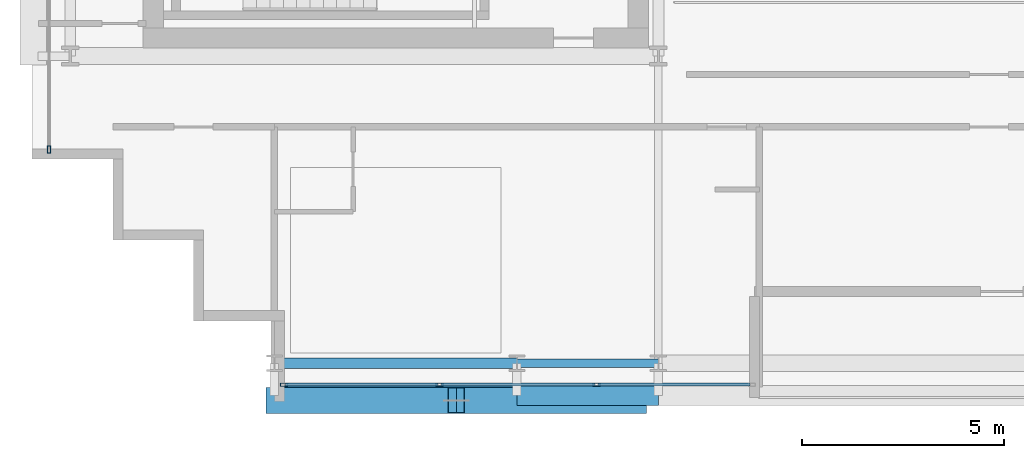
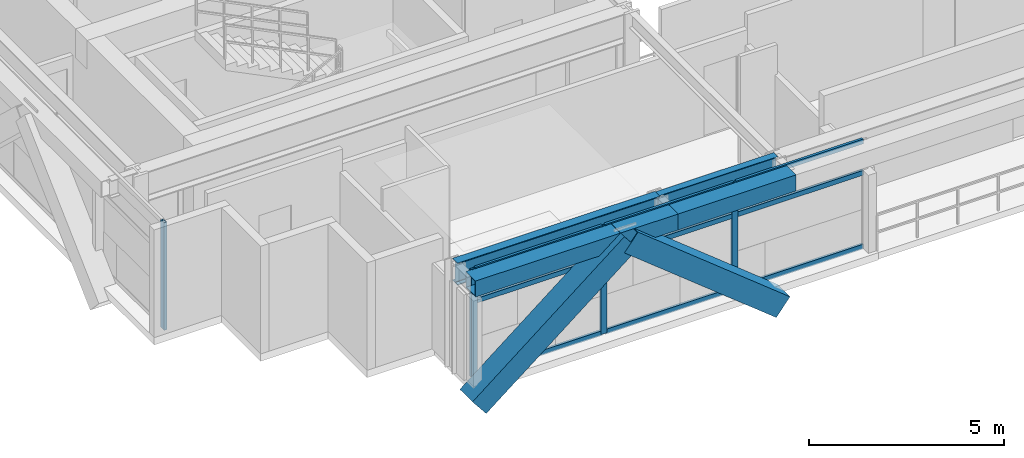
# One storey, part 2 of 30: 15 members, 4 beams, 2 elements without a shape of their own.
"""IFC4 building model written with IfcOpenShell, lengths in metres."""

from ifc_helpers import new_model, si_unit, direction, frame, origin, origin_2d, place, context, subcontext, project, spatial, hollow_rectangle, i_section, extrude, source, transform, mapped, material, layer, layer_set, material_profile, profile_set, type_object, element, aggregate, save


model = new_model("IFC4")

# Units and contexts
model_context = context("Model", 3, precision=1e-05, world=origin(), true_north=direction((0.0, 1.0)))
body_context = subcontext(model_context, "Body", "Model", "MODEL_VIEW")
ifc_project = project(units=[si_unit("LENGTHUNIT", "METRE"), si_unit("AREAUNIT", "SQUARE_METRE"), si_unit("VOLUMEUNIT", "CUBIC_METRE"), si_unit("PLANEANGLEUNIT", "RADIAN"), si_unit("MASSUNIT", "GRAM", prefix="KILO")], contexts=[model_context])

# Site, building, storey
site_placement = place(None, origin())
site = spatial("IfcSite", under=ifc_project, at=site_placement, CompositionType="ELEMENT")
building_placement = place(site_placement, origin())
building = spatial("IfcBuilding", under=site, at=building_placement, Name="Ocotamira Hotel", CompositionType="ELEMENT")
storey_placement = place(building_placement, frame((0.0, 0.0, 195.60009765625)))
storey = spatial("IfcBuildingStorey", under=building, at=storey_placement, Name="L49", CompositionType="ELEMENT", Elevation=195.60009765625)

# Beams
ifc_material_1 = material(Name="Steel ASTM A992 Grade 50", Category="steel")
ifc_material_profile_1 = material_profile(ifc_material_1, i_section(OverallWidth=0.256103515625, OverallDepth=0.693115234375, WebThickness=0.014404296875, FlangeThickness=0.023681640625, FilletRadius=0.01611328125, at=origin_2d()), Name="W27X114")
ifc_profile_set_1 = profile_set([ifc_material_profile_1], Name="Steel ASTM A992 Grade 50")
beam_type_1 = type_object("IfcBeamType", Name="BM-PRIM-W27X114", PredefinedType="BEAM", material=ifc_profile_set_1)
shared_shape_1 = source(origin(), body_context, "Body", "SweptSolid", [
    extrude(i_section(OverallWidth=0.256103515625, OverallDepth=0.693115234375, WebThickness=0.014404296875, FlangeThickness=0.023681640625, FilletRadius=0.01611328125, at=origin_2d()), origin(), (0.0, 0.0, 1.0), 6.0),
])
beam_1_placement = place(storey_placement, frame((14.0, 6.949951171875, 3.0234375), z_axis=(1.0, 0.0, 0.0), x_axis=(0.0, 1.0, 0.0)))
element("IfcBeam", 1, at=beam_1_placement, inside=storey, type_object=beam_type_1, Name="L49 Girder Y6.95 X14-20", PredefinedType="BEAM", context=body_context, shape_type="MappedRepresentation", body=[
    mapped(shared_shape_1, transform((0.0, 0.0, 0.0), scale=1.0)),
])
ifc_material_profile_2 = material_profile(ifc_material_1, i_section(OverallWidth=0.2099609375, OverallDepth=0.537109375, WebThickness=0.010986328125, FlangeThickness=0.017333984375, FilletRadius=0.012939453125, at=origin_2d()), Name="W21X68")
ifc_profile_set_2 = profile_set([ifc_material_profile_2], Name="Steel ASTM A992 Grade 50")
beam_type_2 = type_object("IfcBeamType", Name="BM-SEC-W21X68", PredefinedType="JOIST", material=ifc_profile_set_2)
shared_shape_2 = source(origin(), body_context, "Body", "SweptSolid", [
    extrude(i_section(OverallWidth=0.2099609375, OverallDepth=0.537109375, WebThickness=0.010986328125, FlangeThickness=0.017333984375, FilletRadius=0.012939453125, at=origin_2d()), origin(), (0.0, 0.0, 1.0), 3.5),
])
beam_2_placement = place(storey_placement, frame((20.0, 6.949951171875, 3.101318359375), z_axis=(1.0, 0.0, 0.0), x_axis=(0.0, 1.0, 0.0)))
element("IfcBeam", 2, at=beam_2_placement, inside=storey, type_object=beam_type_2, Name="L49 Girder Y6.95 X20-23.5", PredefinedType="JOIST", context=body_context, shape_type="MappedRepresentation", body=[
    mapped(shared_shape_2, transform((0.0, 0.0, 0.0), scale=1.0)),
])
ifc_material_2 = material(Name="Steel ASTM A500 Grade C", Category="steel")
ifc_material_profile_3 = material_profile(ifc_material_2, hollow_rectangle(XDim=0.5, YDim=0.5, WallThickness=0.02001953125, at=origin_2d()), Name="HSS500X500X20")
ifc_profile_set_3 = profile_set([ifc_material_profile_3], Name="Steel ASTM A500 Grade C")
beam_type_3 = type_object("IfcBeamType", Name="BM-SPAN-HSS500", PredefinedType="USERDEFINED", material=ifc_profile_set_3)
shared_shape_3 = source(origin(), body_context, "Body", "SweptSolid", [
    extrude(hollow_rectangle(XDim=0.5, YDim=0.5, WallThickness=0.02001953125, at=origin_2d()), origin(), (0.0, 0.0, 1.0), 6.0),
])
beam_3_placement = place(storey_placement, frame((14.0, 6.14990234375, 3.119873046875), z_axis=(1.0, 0.0, 0.0), x_axis=(0.0, 1.0, 0.0)))
element("IfcBeam", 3, at=beam_3_placement, inside=storey, type_object=beam_type_3, Name="L49 Edge Spandrel S X14-20", ObjectType="SPANDREL", PredefinedType="USERDEFINED", context=body_context, shape_type="MappedRepresentation", body=[
    mapped(shared_shape_3, transform((0.0, 0.0, 0.0), scale=1.0)),
])
shared_shape_4 = source(origin(), body_context, "Body", "SweptSolid", [
    extrude(hollow_rectangle(XDim=0.5, YDim=0.5, WallThickness=0.02001953125, at=origin_2d()), origin(), (0.0, 0.0, 1.0), 3.5),
])
beam_4_placement = place(storey_placement, frame((20.0, 6.14990234375, 3.119873046875), z_axis=(1.0, 0.0, 0.0), x_axis=(0.0, 1.0, 0.0)))
element("IfcBeam", 4, at=beam_4_placement, inside=storey, type_object=beam_type_3, Name="L49 Edge Spandrel S X20-23.5", ObjectType="SPANDREL", PredefinedType="USERDEFINED", context=body_context, shape_type="MappedRepresentation", body=[
    mapped(shared_shape_4, transform((0.0, 0.0, 0.0), scale=1.0)),
])

# Members
ifc_material_3 = material(Name="Pale-metal coated steel ASTM A913 Grade 65", Category="steel")
ifc_material_profile_4 = material_profile(ifc_material_3, hollow_rectangle(XDim=0.64990234375, YDim=0.64990234375, WallThickness=0.02197265625, at=origin_2d()), Name="BOX650X650X22")
ifc_profile_set_4 = profile_set([ifc_material_profile_4], Name="Pale-metal coated steel ASTM A913 Grade 65")
member_type_1 = type_object("IfcMemberType", Name="MEM-EXO-BOX650", PredefinedType="BRACE", material=ifc_profile_set_4)
shared_shape_5 = source(origin(), body_context, "Body", "SweptSolid", [
    extrude(hollow_rectangle(XDim=0.64990234375, YDim=0.64990234375, WallThickness=0.02197265625, at=origin_2d()), origin(), (0.0, 0.0, 1.0), 5.7626953125),
])
for number, where, z_axis, x_axis, name in (
    (5, (14.0, 6.030029296875, -0.47998046875), (0.780881208953, 0.0, 0.624679547852), (0.0, 1.0, 0.0), "L49 Exoskeleton Diagrid S0.1"),
    (6, (23.0, 6.030029296875, -0.47998046875), (-0.780881208953, 0.0, 0.624679547852), (0.0, -1.0, 0.0), "L49 Exoskeleton Diagrid S0.2"),
):
    element("IfcMember", number, at=place(storey_placement, frame(where, z_axis=z_axis, x_axis=x_axis)), inside=storey, type_object=member_type_1, Name=name, PredefinedType="BRACE", context=body_context, shape_type="MappedRepresentation", body=[
        mapped(shared_shape_5, transform((0.0, 0.0, 0.0), scale=1.0)),
    ])

# Curtain wall, members
ifc_material_4 = material(Name="Anodised pale-metal aluminium and solar glass", Category="aluminium")
ifc_layer = layer(ifc_material_4, 0.199951171875)
ifc_layer_set = layer_set([ifc_layer], Name="Anodised pale-metal aluminium and solar glass")
curtain_wall_type = type_object("IfcCurtainWallType", Name="CW-SYS4-Z3", PredefinedType="NOTDEFINED", material=ifc_layer_set)
curtain_wall_1_placement = place(storey_placement, origin())
curtain_wall_1 = element("IfcCurtainWall", 7, at=curtain_wall_1_placement, inside=storey, type_object=curtain_wall_type, Name="L49 Curtain Wall CW-4 CW-L49-S1", PredefinedType="NOTDEFINED")
ifc_material_5 = material(Name="Anodised pale-metal aluminium 6063-T6", Category="aluminium")
ifc_material_profile_5 = material_profile(ifc_material_5, hollow_rectangle(XDim=0.080078125, YDim=0.179931640625, WallThickness=0.006103515625, at=origin_2d()), Name="HSS180X80X6")
ifc_profile_set_5 = profile_set([ifc_material_profile_5], Name="Anodised pale-metal aluminium 6063-T6")
member_type_2 = type_object("IfcMemberType", Name="CWM-180X75", PredefinedType="MULLION", material=ifc_profile_set_5)
shared_shape_6 = source(origin(), body_context, "Body", "SweptSolid", [
    extrude(hollow_rectangle(XDim=0.080078125, YDim=0.179931640625, WallThickness=0.006103515625, at=origin_2d()), origin(), (0.0, 0.0, 1.0), 3.369873046875),
])
member_1_placement = place(storey_placement, frame((14.239990234375, 6.419921875, 0.0), z_axis=(0.0, 0.0, 1.0), x_axis=(0.0, 1.0, 0.0)))
member_1 = element("IfcMember", 8, at=member_1_placement, type_object=member_type_2, Name="CW-4 mullion 1", PredefinedType="MULLION", context=body_context, shape_type="MappedRepresentation", body=[
    mapped(shared_shape_6, transform((0.0, 0.0, 0.0), scale=1.0)),
])
member_2_placement = place(storey_placement, frame((18.083251953125, 6.419921875, 0.0), z_axis=(0.0, 0.0, 1.0), x_axis=(0.0, 1.0, 0.0)))
member_2 = element("IfcMember", 9, at=member_2_placement, type_object=member_type_2, Name="CW-4 mullion 2", PredefinedType="MULLION", context=body_context, shape_type="MappedRepresentation", body=[
    mapped(shared_shape_6, transform((0.0, 0.0, 0.0), scale=1.0)),
])
member_3_placement = place(storey_placement, frame((21.966552734375, 6.419921875, 0.0), z_axis=(0.0, 0.0, 1.0), x_axis=(0.0, 1.0, 0.0)))
member_3 = element("IfcMember", 10, at=member_3_placement, type_object=member_type_2, Name="CW-4 mullion 3", PredefinedType="MULLION", context=body_context, shape_type="MappedRepresentation", body=[
    mapped(shared_shape_6, transform((0.0, 0.0, 0.0), scale=1.0)),
])

# Curtain wall, member
curtain_wall_2_placement = place(storey_placement, origin())
curtain_wall_2 = element("IfcCurtainWall", 11, at=curtain_wall_2_placement, inside=storey, type_object=curtain_wall_type, Name="L49 Curtain Wall CW-4 CW-L49-W", PredefinedType="NOTDEFINED")
member_4_placement = place(storey_placement, frame((8.419921875, 12.239990234375, 0.0), z_axis=(0.0, 0.0, 1.0), x_axis=(-1.0, 0.0, 0.0)))
member_4 = element("IfcMember", 12, at=member_4_placement, type_object=member_type_2, Name="CW-4 mullion 1", PredefinedType="MULLION", context=body_context, shape_type="MappedRepresentation", body=[
    mapped(shared_shape_6, transform((0.0, 0.0, 0.0), scale=1.0)),
])
aggregate(curtain_wall_2, [member_4])

# Member
ifc_material_profile_6 = material_profile(ifc_material_5, hollow_rectangle(XDim=0.074951171875, YDim=0.14990234375, WallThickness=0.006103515625, at=origin_2d()), Name="HSS150X75X6")
ifc_profile_set_6 = profile_set([ifc_material_profile_6], Name="Anodised pale-metal aluminium 6063-T6")
member_type_3 = type_object("IfcMemberType", Name="CWT-150X75", PredefinedType="USERDEFINED", material=ifc_profile_set_6)
shared_shape_7 = source(origin(), body_context, "Body", "SweptSolid", [
    extrude(hollow_rectangle(XDim=0.074951171875, YDim=0.14990234375, WallThickness=0.006103515625, at=origin_2d()), origin(), (0.0, 0.0, 1.0), 3.76318359375),
])
member_5_placement = place(storey_placement, frame((14.280029296875, 6.419921875, 0.037353515625), z_axis=(1.0, 0.0, 0.0), x_axis=(0.0, 1.0, 0.0)))
member_5 = element("IfcMember", 13, at=member_5_placement, type_object=member_type_3, Name="CW-4 transom 1.1", ObjectType="TRANSOM", PredefinedType="USERDEFINED", context=body_context, shape_type="MappedRepresentation", body=[
    mapped(shared_shape_7, transform((0.0, 0.0, 0.0), scale=1.0)),
])

member_6_placement = place(storey_placement, frame((14.280029296875, 6.419921875, 2.349853515625), z_axis=(1.0, 0.0, 0.0), x_axis=(0.0, 1.0, 0.0)))
member_6 = element("IfcMember", 14, at=member_6_placement, type_object=member_type_3, Name="CW-4 transom 1.2", ObjectType="TRANSOM", PredefinedType="USERDEFINED", context=body_context, shape_type="MappedRepresentation", body=[
    mapped(shared_shape_7, transform((0.0, 0.0, 0.0), scale=1.0)),
])

member_7_placement = place(storey_placement, frame((14.280029296875, 6.419921875, 3.33251953125), z_axis=(1.0, 0.0, 0.0), x_axis=(0.0, 1.0, 0.0)))
member_7 = element("IfcMember", 15, at=member_7_placement, type_object=member_type_3, Name="CW-4 transom 1.3", ObjectType="TRANSOM", PredefinedType="USERDEFINED", context=body_context, shape_type="MappedRepresentation", body=[
    mapped(shared_shape_7, transform((0.0, 0.0, 0.0), scale=1.0)),
])

shared_shape_8 = source(origin(), body_context, "Body", "SweptSolid", [
    extrude(hollow_rectangle(XDim=0.074951171875, YDim=0.14990234375, WallThickness=0.006103515625, at=origin_2d()), origin(), (0.0, 0.0, 1.0), 3.803466796875),
])
member_8_placement = place(storey_placement, frame((18.123291015625, 6.419921875, 0.037353515625), z_axis=(1.0, 0.0, 0.0), x_axis=(0.0, 1.0, 0.0)))
member_8 = element("IfcMember", 16, at=member_8_placement, type_object=member_type_3, Name="CW-4 transom 2.1", ObjectType="TRANSOM", PredefinedType="USERDEFINED", context=body_context, shape_type="MappedRepresentation", body=[
    mapped(shared_shape_8, transform((0.0, 0.0, 0.0), scale=1.0)),
])

member_9_placement = place(storey_placement, frame((18.123291015625, 6.419921875, 2.349853515625), z_axis=(1.0, 0.0, 0.0), x_axis=(0.0, 1.0, 0.0)))
member_9 = element("IfcMember", 17, at=member_9_placement, type_object=member_type_3, Name="CW-4 transom 2.2", ObjectType="TRANSOM", PredefinedType="USERDEFINED", context=body_context, shape_type="MappedRepresentation", body=[
    mapped(shared_shape_8, transform((0.0, 0.0, 0.0), scale=1.0)),
])

member_10_placement = place(storey_placement, frame((18.123291015625, 6.419921875, 3.33251953125), z_axis=(1.0, 0.0, 0.0), x_axis=(0.0, 1.0, 0.0)))
member_10 = element("IfcMember", 18, at=member_10_placement, type_object=member_type_3, Name="CW-4 transom 2.3", ObjectType="TRANSOM", PredefinedType="USERDEFINED", context=body_context, shape_type="MappedRepresentation", body=[
    mapped(shared_shape_8, transform((0.0, 0.0, 0.0), scale=1.0)),
])

shared_shape_9 = source(origin(), body_context, "Body", "SweptSolid", [
    extrude(hollow_rectangle(XDim=0.074951171875, YDim=0.14990234375, WallThickness=0.006103515625, at=origin_2d()), origin(), (0.0, 0.0, 1.0), 3.763427734375),
])
member_11_placement = place(storey_placement, frame((22.006591796875, 6.419921875, 0.037353515625), z_axis=(1.0, 0.0, 0.0), x_axis=(0.0, 1.0, 0.0)))
member_11 = element("IfcMember", 19, at=member_11_placement, type_object=member_type_3, Name="CW-4 transom 3.1", ObjectType="TRANSOM", PredefinedType="USERDEFINED", context=body_context, shape_type="MappedRepresentation", body=[
    mapped(shared_shape_9, transform((0.0, 0.0, 0.0), scale=1.0)),
])

member_12_placement = place(storey_placement, frame((22.006591796875, 6.419921875, 2.349853515625), z_axis=(1.0, 0.0, 0.0), x_axis=(0.0, 1.0, 0.0)))
member_12 = element("IfcMember", 20, at=member_12_placement, type_object=member_type_3, Name="CW-4 transom 3.2", ObjectType="TRANSOM", PredefinedType="USERDEFINED", context=body_context, shape_type="MappedRepresentation", body=[
    mapped(shared_shape_9, transform((0.0, 0.0, 0.0), scale=1.0)),
])

member_13_placement = place(storey_placement, frame((22.006591796875, 6.419921875, 3.33251953125), z_axis=(1.0, 0.0, 0.0), x_axis=(0.0, 1.0, 0.0)))
member_13 = element("IfcMember", 21, at=member_13_placement, type_object=member_type_3, Name="CW-4 transom 3.3", ObjectType="TRANSOM", PredefinedType="USERDEFINED", context=body_context, shape_type="MappedRepresentation", body=[
    mapped(shared_shape_9, transform((0.0, 0.0, 0.0), scale=1.0)),
])

aggregate(curtain_wall_1, [member_1, member_2, member_3, member_5, member_6, member_7, member_8, member_9, member_10, member_11, member_12, member_13])

save(model, "model.ifc")
